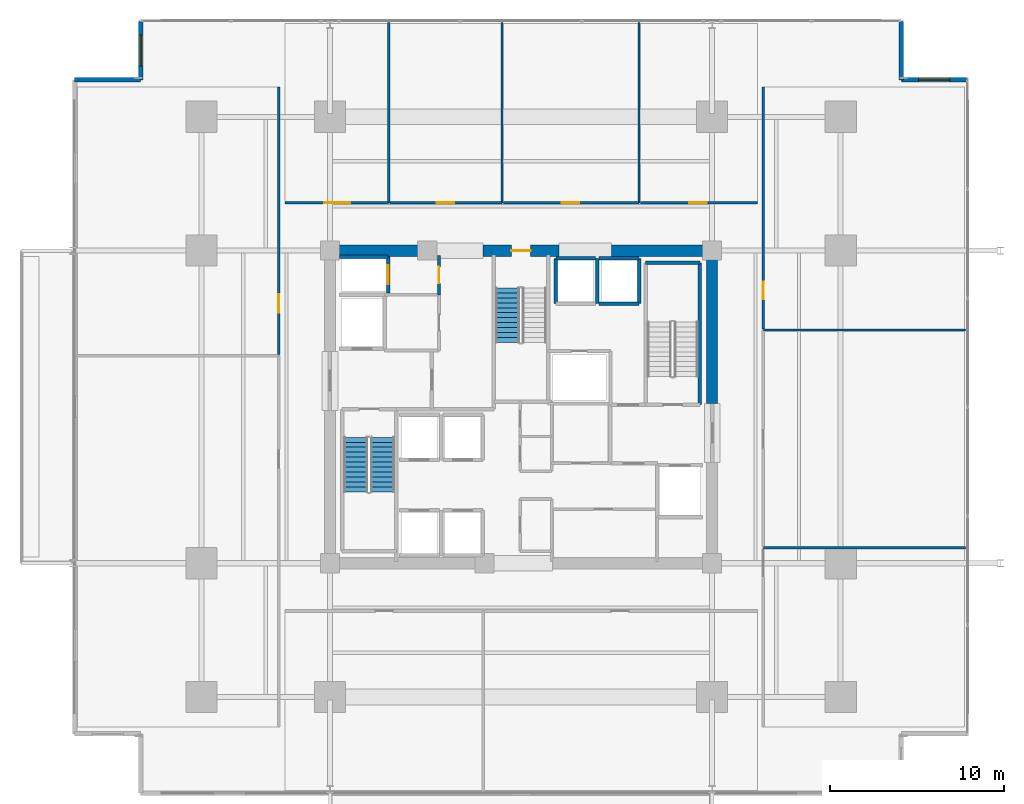
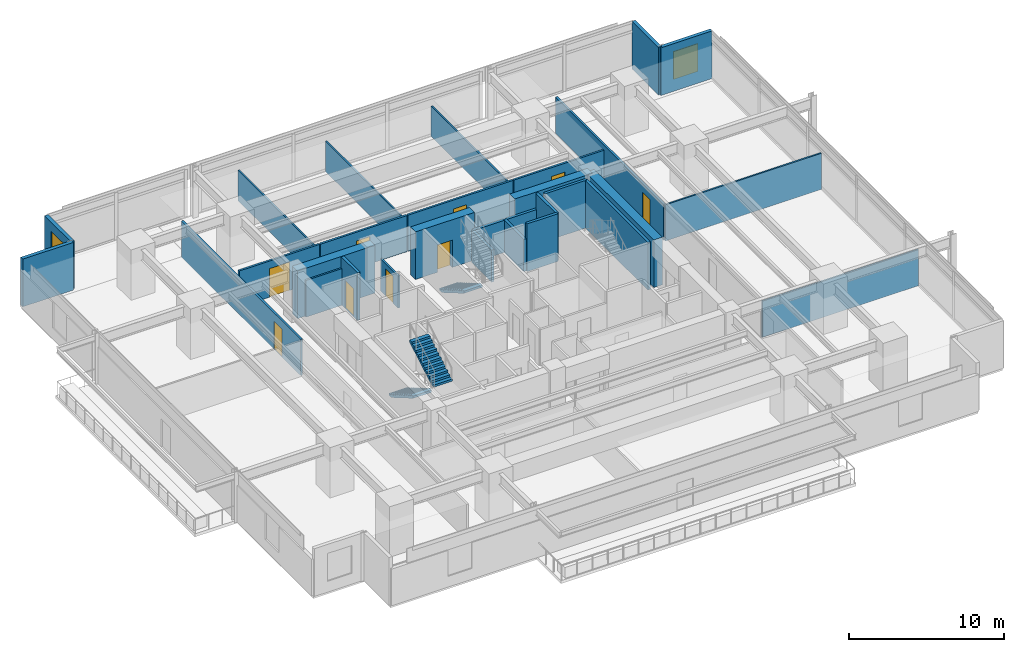
# One storey, part 17 of 23: 30 walls, 9 doors, 3 stair flights, 2 windows, 11 openings, 2 elements without a shape of their own.
"""IFC4 building model written with IfcOpenShell, lengths in metres."""

from ifc_helpers import new_model, si_unit, direction, frame, frame_2d, origin, place, context, subcontext, project, spatial, polyline, rectangle, outline, extrude, material, layer, layer_set, type_object, element, fill, aggregate, save


model = new_model("IFC4")

# Units and contexts
model_context = context("Model", 3, precision=1e-05, world=origin(), true_north=direction((0.0, 1.0)))
body_context = subcontext(model_context, "Body", "Model", "MODEL_VIEW")
ifc_project = project(units=[si_unit("LENGTHUNIT", "METRE"), si_unit("AREAUNIT", "SQUARE_METRE"), si_unit("VOLUMEUNIT", "CUBIC_METRE"), si_unit("PLANEANGLEUNIT", "RADIAN"), si_unit("MASSUNIT", "GRAM", prefix="KILO")], contexts=[model_context])

# Site, building, storey
site_placement = place(None, origin())
site = spatial("IfcSite", under=ifc_project, at=site_placement, CompositionType="ELEMENT")
building_placement = place(site_placement, origin())
building = spatial("IfcBuilding", under=site, at=building_placement, Name="Kovane Verandah Tower", CompositionType="ELEMENT")
storey_placement = place(building_placement, frame((0.0, 0.0, 55.60009765625)))
storey = spatial("IfcBuildingStorey", under=building, at=storey_placement, Name="L12", CompositionType="ELEMENT", Elevation=55.60009765625)

# Wall, opening, door
ifc_material_1 = material(Name="Fire-Rated Gypsum Stud Partition", Category="gypsum")
ifc_layer_1 = layer(ifc_material_1, 0.14990234375)
ifc_layer_set_1 = layer_set([ifc_layer_1], Name="Fire-Rated Gypsum Stud Partition")
wall_type_1 = type_object("IfcWallType", Name="WL-COR-150", PredefinedType="PARTITIONING", material=ifc_layer_set_1)
wall_1_placement = place(storey_placement, frame((35.280029296875, 33.949951171875, 0.0), z_axis=(0.0, 0.0, 1.0), x_axis=(0.0, 1.0, 0.0)))
wall_1 = element("IfcWall", 1, at=wall_1_placement, inside=storey, type_object=wall_type_1, Name="L12 Goods Lift Lobby East Fire Partition", PredefinedType="PARTITIONING", context=body_context, shape_type="SweptSolid", body=[
    extrude(rectangle(XDim=2.27001953125, YDim=0.14990234375, at=frame_2d((1.135009765625, 0.0))), origin(), (0.0, 0.0, 1.0), 2.539794921875),
])
opening_1_placement = place(wall_1_placement, frame((0.659912109375, 0.0, 0.0)))
opening_1 = element("IfcOpeningElement", 2, at=opening_1_placement, cuts=wall_1, Name="Opening DR-L12-008", PredefinedType="OPENING", context=body_context, shape_type="SweptSolid", body=[
    extrude(rectangle(XDim=0.949951171875, YDim=2.14990234375, at=frame_2d((0.47509765625, 1.074951171875))), frame((0.0, 0.074951171875, 0.0), z_axis=(0.0, -1.0, 0.0), x_axis=(1.0, 0.0, 0.0)), (0.0, 0.0, 1.0), 0.14990234375),
])
ifc_material_2 = material(Name="Fire-Rated Steel Refuge and Lobby Door", Category="steel")
door_type_1 = type_object("IfcDoorType", Name="DR-FIRE-950", OperationType="SINGLE_SWING_LEFT", PredefinedType="DOOR", material=ifc_material_2)
door_1_placement = place(opening_1_placement, origin())
door_1 = element("IfcDoor", 3, at=door_1_placement, inside=storey, type_object=door_type_1, Name="L12 Goods Lift Lobby Fire Door", OperationType="SINGLE_SWING_RIGHT", OverallHeight=2.14990234375, OverallWidth=0.949951171875, PredefinedType="DOOR", context=body_context, shape_type="SweptSolid", body=[
    extrude(rectangle(XDim=0.949951171875, YDim=2.14990234375, at=frame_2d((0.47509765625, 1.074951171875))), frame((0.0, 0.02490234375, 0.0), z_axis=(0.0, -1.0, 0.0), x_axis=(1.0, 0.0, 0.0)), (0.0, 0.0, 1.0), 0.050048828125),
])
fill(opening_1, door_1)

wall_2_placement = place(storey_placement, frame((26.39990234375, 39.25, 0.0), z_axis=(0.0, 0.0, 1.0), x_axis=(1.0, 0.0, 0.0)))
wall_2 = element("IfcWall", 4, at=wall_2_placement, inside=storey, type_object=wall_type_1, Name="L12 Client Boardroom N1 Corridor Partition", PredefinedType="PARTITIONING", context=body_context, shape_type="SweptSolid", body=[
    extrude(rectangle(XDim=5.984130859375, YDim=0.14990234375, at=frame_2d((2.9921875, 0.0))), origin(), (0.0, 0.0, 1.0), 2.849853515625),
])
opening_2_placement = place(wall_2_placement, frame((2.257080078125, 0.0, 0.0)))
opening_2 = element("IfcOpeningElement", 5, at=opening_2_placement, cuts=wall_2, Name="Opening DR-L12-018", PredefinedType="OPENING", context=body_context, shape_type="SweptSolid", body=[
    extrude(rectangle(XDim=1.5, YDim=2.25, at=frame_2d((0.75, 1.125))), frame((0.0, 0.074951171875, 0.0), z_axis=(0.0, -1.0, 0.0), x_axis=(1.0, 0.0, 0.0)), (0.0, 0.0, 1.0), 0.14990234375),
])
ifc_material_3 = material(Name="Glazed Timber Fire-Rated Double Door", Category="wood")
door_type_2 = type_object("IfcDoorType", Name="DR-CONF-1500", OperationType="DOUBLE_DOOR_SINGLE_SWING", PredefinedType="DOOR", material=ifc_material_3)
door_2_placement = place(opening_2_placement, origin())
door_2 = element("IfcDoor", 6, at=door_2_placement, inside=storey, type_object=door_type_2, Name="L12 Client Boardroom N1 Entrance Door", OperationType="DOUBLE_DOOR_SINGLE_SWING", OverallHeight=2.25, OverallWidth=1.5, PredefinedType="DOOR", context=body_context, shape_type="SweptSolid", body=[
    extrude(rectangle(XDim=1.5, YDim=2.25, at=frame_2d((0.75, 1.125))), frame((0.0, 0.02490234375, 0.0), z_axis=(0.0, -1.0, 0.0), x_axis=(1.0, 0.0, 0.0)), (0.0, 0.0, 1.0), 0.050048828125),
])
fill(opening_2, door_2)

wall_3_placement = place(storey_placement, frame((32.4541015625, 39.25, 0.0), z_axis=(0.0, 0.0, 1.0), x_axis=(1.0, 0.0, 0.0)))
wall_3 = element("IfcWall", 7, at=wall_3_placement, inside=storey, type_object=wall_type_1, Name="L12 Meeting Room N2 Corridor Partition", PredefinedType="PARTITIONING", context=body_context, shape_type="SweptSolid", body=[
    extrude(rectangle(XDim=6.4580078125, YDim=0.14990234375, at=frame_2d((3.22900390625, 0.0))), origin(), (0.0, 0.0, 1.0), 2.849853515625),
])
opening_3_placement = place(wall_3_placement, frame((2.694091796875, 0.0, 0.0)))
opening_3 = element("IfcOpeningElement", 8, at=opening_3_placement, cuts=wall_3, Name="Opening DR-L12-019", PredefinedType="OPENING", context=body_context, shape_type="SweptSolid", body=[
    extrude(rectangle(XDim=1.0, YDim=2.14990234375, at=frame_2d((0.5, 1.074951171875))), frame((0.0, 0.074951171875, 0.0), z_axis=(0.0, -1.0, 0.0), x_axis=(1.0, 0.0, 0.0)), (0.0, 0.0, 1.0), 0.14990234375),
])
ifc_material_4 = material(Name="FSC Spotted-Gum Timber Fire-Rated Office Door", Category="wood")
door_type_3 = type_object("IfcDoorType", Name="DR-OFF-1000", OperationType="SINGLE_SWING_LEFT", PredefinedType="DOOR", material=ifc_material_4)
door_3_placement = place(opening_3_placement, origin())
door_3 = element("IfcDoor", 9, at=door_3_placement, inside=storey, type_object=door_type_3, Name="L12 Meeting Room N2 Entrance Door", OperationType="SINGLE_SWING_RIGHT", OverallHeight=2.14990234375, OverallWidth=1.0, PredefinedType="DOOR", context=body_context, shape_type="SweptSolid", body=[
    extrude(rectangle(XDim=1.0, YDim=2.14990234375, at=frame_2d((0.5, 1.074951171875))), frame((0.0, 0.02490234375, 0.0), z_axis=(0.0, -1.0, 0.0), x_axis=(1.0, 0.0, 0.0)), (0.0, 0.0, 1.0), 0.050048828125),
])
fill(opening_3, door_3)

wall_4_placement = place(storey_placement, frame((38.98193359375, 39.25, 0.0), z_axis=(0.0, 0.0, 1.0), x_axis=(1.0, 0.0, 0.0)))
wall_4 = element("IfcWall", 10, at=wall_4_placement, inside=storey, type_object=wall_type_1, Name="L12 Focus Studio N3 Corridor Partition", PredefinedType="PARTITIONING", context=body_context, shape_type="SweptSolid", body=[
    extrude(rectangle(XDim=7.818115234375, YDim=0.14990234375, at=frame_2d((3.9091796875, 0.0))), origin(), (0.0, 0.0, 1.0), 2.849853515625),
])
opening_4_placement = place(wall_4_placement, frame((3.3740234375, 0.0, 0.0)))
opening_4 = element("IfcOpeningElement", 11, at=opening_4_placement, cuts=wall_4, Name="Opening DR-L12-020", PredefinedType="OPENING", context=body_context, shape_type="SweptSolid", body=[
    extrude(rectangle(XDim=1.0, YDim=2.14990234375, at=frame_2d((0.5, 1.074951171875))), frame((0.0, 0.074951171875, 0.0), z_axis=(0.0, -1.0, 0.0), x_axis=(1.0, 0.0, 0.0)), (0.0, 0.0, 1.0), 0.14990234375),
])
door_4_placement = place(opening_4_placement, origin())
door_4 = element("IfcDoor", 12, at=door_4_placement, inside=storey, type_object=door_type_3, Name="L12 Focus Studio N3 Entrance Door", OperationType="SINGLE_SWING_LEFT", OverallHeight=2.14990234375, OverallWidth=1.0, PredefinedType="DOOR", context=body_context, shape_type="SweptSolid", body=[
    extrude(rectangle(XDim=1.0, YDim=2.14990234375, at=frame_2d((0.5, 1.074951171875))), frame((0.0, 0.02490234375, 0.0), z_axis=(0.0, -1.0, 0.0), x_axis=(1.0, 0.0, 0.0)), (0.0, 0.0, 1.0), 0.050048828125),
])
fill(opening_4, door_4)

wall_5_placement = place(storey_placement, frame((46.8701171875, 39.25, 0.0), z_axis=(0.0, 0.0, 1.0), x_axis=(1.0, 0.0, 0.0)))
wall_5 = element("IfcWall", 13, at=wall_5_placement, inside=storey, type_object=wall_type_1, Name="L12 Breakout Pantry N4 Corridor Partition", PredefinedType="PARTITIONING", context=body_context, shape_type="SweptSolid", body=[
    extrude(rectangle(XDim=6.72998046875, YDim=0.14990234375, at=frame_2d((3.364990234375, 0.0))), origin(), (0.0, 0.0, 1.0), 2.849853515625),
])
opening_5_placement = place(wall_5_placement, frame((2.81494140625, 0.0, 0.0)))
opening_5 = element("IfcOpeningElement", 14, at=opening_5_placement, cuts=wall_5, Name="Opening DR-L12-021", PredefinedType="OPENING", context=body_context, shape_type="SweptSolid", body=[
    extrude(rectangle(XDim=1.0, YDim=2.14990234375, at=frame_2d((0.5, 1.074951171875))), frame((0.0, 0.074951171875, 0.0), z_axis=(0.0, -1.0, 0.0), x_axis=(1.0, 0.0, 0.0)), (0.0, 0.0, 1.0), 0.14990234375),
])
door_5_placement = place(opening_5_placement, origin())
door_5 = element("IfcDoor", 15, at=door_5_placement, inside=storey, type_object=door_type_3, Name="L12 Breakout Pantry N4 Entrance Door", OperationType="SINGLE_SWING_RIGHT", OverallHeight=2.14990234375, OverallWidth=1.0, PredefinedType="DOOR", context=body_context, shape_type="SweptSolid", body=[
    extrude(rectangle(XDim=1.0, YDim=2.14990234375, at=frame_2d((0.5, 1.074951171875))), frame((0.0, 0.02490234375, 0.0), z_axis=(0.0, -1.0, 0.0), x_axis=(1.0, 0.0, 0.0)), (0.0, 0.0, 1.0), 0.050048828125),
])
fill(opening_5, door_5)

wall_6_placement = place(storey_placement, frame((26.050048828125, 30.518310546875, 0.0), z_axis=(0.0, 0.0, 1.0), x_axis=(0.0, 1.0, 0.0)))
wall_6 = element("IfcWall", 16, at=wall_6_placement, inside=storey, type_object=wall_type_1, Name="L12 Executive Office W2 Corridor Partition", PredefinedType="PARTITIONING", context=body_context, shape_type="SweptSolid", body=[
    extrude(rectangle(XDim=15.408935546875, YDim=0.14990234375, at=frame_2d((7.70458984375, 0.0))), origin(), (0.0, 0.0, 1.0), 2.849853515625),
])
opening_6_placement = place(wall_6_placement, frame((2.415771484375, 0.0, 0.0)))
opening_6 = element("IfcOpeningElement", 17, at=opening_6_placement, cuts=wall_6, Name="Opening DR-L12-029", PredefinedType="OPENING", context=body_context, shape_type="SweptSolid", body=[
    extrude(rectangle(XDim=1.050048828125, YDim=2.199951171875, at=frame_2d((0.52490234375, 1.10009765625))), frame((0.0, 0.074951171875, 0.0), z_axis=(0.0, -1.0, 0.0), x_axis=(1.0, 0.0, 0.0)), (0.0, 0.0, 1.0), 0.14990234375),
])
ifc_material_5 = material(Name="FSC Blackbutt Timber Fire-Rated Executive Door", Category="wood")
door_type_4 = type_object("IfcDoorType", Name="DR-EXEC-1050", OperationType="SINGLE_SWING_LEFT", PredefinedType="DOOR", material=ifc_material_5)
door_6_placement = place(opening_6_placement, origin())
door_6 = element("IfcDoor", 18, at=door_6_placement, inside=storey, type_object=door_type_4, Name="L12 Executive Office W2 Entrance Door", OperationType="SINGLE_SWING_RIGHT", OverallHeight=2.199951171875, OverallWidth=1.050048828125, PredefinedType="DOOR", context=body_context, shape_type="SweptSolid", body=[
    extrude(rectangle(XDim=1.050048828125, YDim=2.199951171875, at=frame_2d((0.52490234375, 1.10009765625))), frame((0.0, 0.02490234375, 0.0), z_axis=(0.0, -1.0, 0.0), x_axis=(1.0, 0.0, 0.0)), (0.0, 0.0, 1.0), 0.050048828125),
])
fill(opening_6, door_6)

wall_7_placement = place(storey_placement, frame((53.949951171875, 31.992431640625, 0.0), z_axis=(0.0, 0.0, 1.0), x_axis=(0.0, 1.0, 0.0)))
wall_7 = element("IfcWall", 19, at=wall_7_placement, inside=storey, type_object=wall_type_1, Name="L12 Focus Studio E3 Corridor Partition", PredefinedType="PARTITIONING", context=body_context, shape_type="SweptSolid", body=[
    extrude(rectangle(XDim=13.934814453125, YDim=0.14990234375, at=frame_2d((6.96728515625, 0.0))), origin(), (0.0, 0.0, 1.0), 2.849853515625),
])
opening_7_placement = place(wall_7_placement, frame((1.70361328125, 0.0, 0.0)))
opening_7 = element("IfcOpeningElement", 20, at=opening_7_placement, cuts=wall_7, Name="Opening DR-L12-014", PredefinedType="OPENING", context=body_context, shape_type="SweptSolid", body=[
    extrude(rectangle(XDim=1.0, YDim=2.14990234375, at=frame_2d((0.5, 1.074951171875))), frame((0.0, 0.074951171875, 0.0), z_axis=(0.0, -1.0, 0.0), x_axis=(1.0, 0.0, 0.0)), (0.0, 0.0, 1.0), 0.14990234375),
])
door_7_placement = place(opening_7_placement, origin())
door_7 = element("IfcDoor", 21, at=door_7_placement, inside=storey, type_object=door_type_3, Name="L12 Focus Studio E3 Entrance Door", OperationType="SINGLE_SWING_LEFT", OverallHeight=2.14990234375, OverallWidth=1.0, PredefinedType="DOOR", context=body_context, shape_type="SweptSolid", body=[
    extrude(rectangle(XDim=1.0, YDim=2.14990234375, at=frame_2d((0.5, 1.074951171875))), frame((0.0, 0.02490234375, 0.0), z_axis=(0.0, -1.0, 0.0), x_axis=(1.0, 0.0, 0.0)), (0.0, 0.0, 1.0), 0.050048828125),
])
fill(opening_7, door_7)

# Wall
ifc_material_6 = material(Name="Concrete C80/95", Category="concrete")
ifc_layer_2 = layer(ifc_material_6, 0.64990234375)
ifc_layer_set_2 = layer_set([ifc_layer_2], Name="Concrete C80/95")
wall_type_2 = type_object("IfcWallType", Name="WL-CORE-650", PredefinedType="SHEAR", material=ifc_layer_set_2)
wall_8_placement = place(storey_placement, frame((29.0, 36.5, 0.0), z_axis=(0.0, 0.0, 1.0), x_axis=(1.0, 0.0, 0.0)))
element("IfcWall", 22, at=wall_8_placement, inside=storey, type_object=wall_type_2, Name="L12 Core Shear Wall CN-1", PredefinedType="SHEAR", context=body_context, shape_type="SweptSolid", body=[
    extrude(rectangle(XDim=5.800048828125, YDim=0.64990234375, at=frame_2d((2.89990234375, 0.0))), origin(), (0.0, 0.0, 1.0), 3.760009765625),
])

# Wall, opening, door
wall_9_placement = place(storey_placement, frame((37.800048828125, 36.5, 0.0), z_axis=(0.0, 0.0, 1.0), x_axis=(1.0, 0.0, 0.0)))
wall_9 = element("IfcWall", 23, at=wall_9_placement, inside=storey, type_object=wall_type_2, Name="L12 Core Shear Wall CN-2", PredefinedType="SHEAR", context=body_context, shape_type="SweptSolid", body=[
    extrude(rectangle(XDim=4.39990234375, YDim=0.64990234375, at=frame_2d((2.199951171875, 0.0))), origin(), (0.0, 0.0, 1.0), 3.760009765625),
])
opening_8_placement = place(wall_9_placement, frame((1.64990234375, 0.0, 0.0)))
opening_8 = element("IfcOpeningElement", 24, at=opening_8_placement, cuts=wall_9, Name="Opening DR-L12-011", PredefinedType="OPENING", context=body_context, shape_type="SweptSolid", body=[
    extrude(rectangle(XDim=1.10009765625, YDim=2.14990234375, at=frame_2d((0.550048828125, 1.074951171875))), frame((0.0, 0.324951171875, 0.0), z_axis=(0.0, -1.0, 0.0), x_axis=(1.0, 0.0, 0.0)), (0.0, 0.0, 1.0), 0.64990234375),
])
ifc_material_7 = material(Name="Fire-Rated Steel Exit Door", Category="steel")
door_type_5 = type_object("IfcDoorType", Name="DR-STAIR-1100", OperationType="SINGLE_SWING_LEFT", PredefinedType="DOOR", material=ifc_material_7)
door_8_placement = place(opening_8_placement, origin())
door_8 = element("IfcDoor", 25, at=door_8_placement, inside=storey, type_object=door_type_5, Name="L12 ST-03 Fire Exit Stair Door", OperationType="SINGLE_SWING_RIGHT", OverallHeight=2.14990234375, OverallWidth=1.10009765625, PredefinedType="DOOR", context=body_context, shape_type="SweptSolid", body=[
    extrude(rectangle(XDim=1.10009765625, YDim=2.14990234375, at=frame_2d((0.550048828125, 1.074951171875))), frame((0.0, 0.02490234375, 0.0), z_axis=(0.0, -1.0, 0.0), x_axis=(1.0, 0.0, 0.0)), (0.0, 0.0, 1.0), 0.050048828125),
])
fill(opening_8, door_8)

# Walls
wall_10_placement = place(storey_placement, frame((45.199951171875, 36.5, 0.0), z_axis=(0.0, 0.0, 1.0), x_axis=(1.0, 0.0, 0.0)))
element("IfcWall", 26, at=wall_10_placement, inside=storey, type_object=wall_type_2, Name="L12 Core Shear Wall CN-3", PredefinedType="SHEAR", context=body_context, shape_type="SweptSolid", body=[
    extrude(rectangle(XDim=5.800048828125, YDim=0.64990234375, at=frame_2d((2.89990234375, 0.0))), origin(), (0.0, 0.0, 1.0), 3.760009765625),
])
wall_11_placement = place(storey_placement, frame((51.0, 27.699951171875, 0.0), z_axis=(0.0, 0.0, 1.0), x_axis=(0.0, 1.0, 0.0)))
element("IfcWall", 27, at=wall_11_placement, inside=storey, type_object=wall_type_2, Name="L12 Core Shear Wall CE-2", PredefinedType="SHEAR", context=body_context, shape_type="SweptSolid", body=[
    extrude(rectangle(XDim=8.800048828125, YDim=0.64990234375, at=frame_2d((4.39990234375, 0.0))), origin(), (0.0, 0.0, 1.0), 3.760009765625),
])
ifc_material_8 = material(Name="Concrete C45/55 Lift Shaft Wall", Category="concrete")
ifc_layer_3 = layer(ifc_material_8, 0.199951171875)
ifc_layer_set_3 = layer_set([ifc_layer_3], Name="Concrete C45/55 Lift Shaft Wall")
wall_type_3 = type_object("IfcWallType", Name="WL-LIFT-200", PredefinedType="SOLIDWALL", material=ifc_layer_set_3)
wall_12_placement = place(storey_placement, frame((32.35009765625, 36.14990234375, 0.0), z_axis=(0.0, 0.0, 1.0), x_axis=(-1.0, 0.0, 0.0)))
element("IfcWall", 28, at=wall_12_placement, inside=storey, type_object=wall_type_3, Name="L12 Lift GL-01 N Shaft Wall", PredefinedType="SOLIDWALL", context=body_context, shape_type="SweptSolid", body=[
    extrude(rectangle(XDim=2.800048828125, YDim=0.199951171875, at=frame_2d((1.39990234375, 0.0))), origin(), (0.0, 0.0, 1.0), 2.88916015625),
])

# Wall, opening, door
wall_13_placement = place(storey_placement, frame((32.35009765625, 34.050048828125, 0.0), z_axis=(0.0, 0.0, 1.0), x_axis=(0.0, 1.0, 0.0)))
wall_13 = element("IfcWall", 29, at=wall_13_placement, inside=storey, type_object=wall_type_3, Name="L12 Lift GL-01 E Shaft Wall", PredefinedType="SOLIDWALL", context=body_context, shape_type="SweptSolid", body=[
    extrude(rectangle(XDim=2.099853515625, YDim=0.199951171875, at=frame_2d((1.0498046875, 0.0))), origin(), (0.0, 0.0, 1.0), 3.760009765625),
])
opening_9_placement = place(wall_13_placement, frame((0.5, 0.0, 0.0)))
opening_9 = element("IfcOpeningElement", 30, at=opening_9_placement, cuts=wall_13, Name="Opening LD-L12-003", PredefinedType="OPENING", context=body_context, shape_type="SweptSolid", body=[
    extrude(rectangle(XDim=1.10009765625, YDim=2.199951171875, at=frame_2d((0.550048828125, 1.10009765625))), frame((0.0, 0.10009765625, 0.0), z_axis=(0.0, -1.0, 0.0), x_axis=(1.0, 0.0, 0.0)), (0.0, 0.0, 1.0), 0.199951171875),
])
ifc_material_9 = material(Name="Brushed Stainless Steel Sliding Lift Landing Door", Category="steel")
door_type_6 = type_object("IfcDoorType", Name="DR-LIFT-1100", OperationType="SLIDING_TO_RIGHT", PredefinedType="DOOR", material=ifc_material_9)
door_9_placement = place(opening_9_placement, origin())
door_9 = element("IfcDoor", 31, at=door_9_placement, inside=storey, type_object=door_type_6, Name="L12 Lift GL-01 Sliding Landing Door", OperationType="SLIDING_TO_RIGHT", OverallHeight=2.199951171875, OverallWidth=1.10009765625, PredefinedType="DOOR", context=body_context, shape_type="SweptSolid", body=[
    extrude(rectangle(XDim=1.10009765625, YDim=2.199951171875, at=frame_2d((0.550048828125, 1.10009765625))), frame((0.0, 0.02490234375, 0.0), z_axis=(0.0, -1.0, 0.0), x_axis=(1.0, 0.0, 0.0)), (0.0, 0.0, 1.0), 0.050048828125),
])
fill(opening_9, door_9)

# Walls
wall_14_placement = place(storey_placement, frame((44.300048828125, 36.050048828125, 0.0), z_axis=(0.0, 0.0, 1.0), x_axis=(-1.0, 0.0, 0.0)))
element("IfcWall", 32, at=wall_14_placement, inside=storey, type_object=wall_type_3, Name="L12 Lift SL-01 N Shaft Wall", PredefinedType="SOLIDWALL", context=body_context, shape_type="SweptSolid", body=[
    extrude(rectangle(XDim=2.300048828125, YDim=0.199951171875, at=frame_2d((1.14990234375, 0.0))), origin(), (0.0, 0.0, 1.0), 2.539794921875),
])
for number, where, z_axis, x_axis, name in (
    (33, (42.0, 36.050048828125, 0.0), (0.0, 0.0, 1.0), (0.0, -1.0, 0.0), "L12 Lift SL-01 W Shaft Wall"),
    (34, (44.39990234375, 33.449951171875, 0.0), (0.0, 0.0, 1.0), (0.0, 1.0, 0.0), "L12 Lift OL-01 and SL-01 Shared Shaft Wall"),
):
    element("IfcWall", number, at=place(storey_placement, frame(where, z_axis=z_axis, x_axis=x_axis)), inside=storey, type_object=wall_type_3, Name=name, PredefinedType="SOLIDWALL", context=body_context, shape_type="SweptSolid", body=[
        extrude(rectangle(XDim=2.60009765625, YDim=0.199951171875, at=frame_2d((1.300048828125, 0.0))), origin(), (0.0, 0.0, 1.0), 2.539794921875),
    ])
wall_15_placement = place(storey_placement, frame((44.5, 33.449951171875, 0.0), z_axis=(0.0, 0.0, 1.0), x_axis=(1.0, 0.0, 0.0)))
element("IfcWall", 35, at=wall_15_placement, inside=storey, type_object=wall_type_3, Name="L12 Lift OL-01 S Shaft Wall", PredefinedType="SOLIDWALL", context=body_context, shape_type="SweptSolid", body=[
    extrude(rectangle(XDim=2.300048828125, YDim=0.199951171875, at=frame_2d((1.14990234375, 0.0))), origin(), (0.0, 0.0, 1.0), 3.760009765625),
])
wall_16_placement = place(storey_placement, frame((46.800048828125, 36.050048828125, 0.0), z_axis=(0.0, 0.0, 1.0), x_axis=(-1.0, 0.0, 0.0)))
element("IfcWall", 36, at=wall_16_placement, inside=storey, type_object=wall_type_3, Name="L12 Lift OL-01 N Shaft Wall", PredefinedType="SOLIDWALL", context=body_context, shape_type="SweptSolid", body=[
    extrude(rectangle(XDim=2.300048828125, YDim=0.199951171875, at=frame_2d((1.14990234375, 0.0))), origin(), (0.0, 0.0, 1.0), 2.539794921875),
])
wall_17_placement = place(storey_placement, frame((46.800048828125, 33.449951171875, 0.0), z_axis=(0.0, 0.0, 1.0), x_axis=(0.0, 1.0, 0.0)))
element("IfcWall", 37, at=wall_17_placement, inside=storey, type_object=wall_type_3, Name="L12 Lift OL-01 E Shaft Wall", PredefinedType="SOLIDWALL", context=body_context, shape_type="SweptSolid", body=[
    extrude(rectangle(XDim=2.60009765625, YDim=0.199951171875, at=frame_2d((1.300048828125, 0.0))), origin(), (0.0, 0.0, 1.0), 3.760009765625),
])
ifc_material_10 = material(Name="Acoustic Fire-Rated Gypsum Partition", Category="gypsum")
ifc_layer_4 = layer(ifc_material_10, 0.1201171875)
ifc_layer_set_4 = layer_set([ifc_layer_4], Name="Acoustic Fire-Rated Gypsum Partition")
wall_type_4 = type_object("IfcWallType", Name="WL-PART-120", PredefinedType="PARTITIONING", material=ifc_layer_set_4)
for number, where, z_axis, x_axis, name in (
    (38, (32.384033203125, 39.25, 0.0), (0.0, 0.0, 1.0), (0.0, 1.0, 0.0), "L12 Client Boardroom N1 Dividing Partition"),
    (39, (38.912109375, 39.25, 0.0), (0.0, 0.0, 1.0), (0.0, 1.0, 0.0), "L12 Meeting Room N2 Dividing Partition"),
    (40, (46.800048828125, 39.25, 0.0), (0.0, 0.0, 1.0), (0.0, 1.0, 0.0), "L12 Focus Studio N3 Dividing Partition"),
):
    element("IfcWall", number, at=place(storey_placement, frame(where, z_axis=z_axis, x_axis=x_axis)), inside=storey, type_object=wall_type_4, Name=name, PredefinedType="PARTITIONING", context=body_context, shape_type="SweptSolid", body=[
        extrude(rectangle(XDim=10.377197265625, YDim=0.1201171875, at=frame_2d((5.1884765625, 0.0))), origin(), (0.0, 0.0, 1.0), 2.389892578125),
    ])
for number, where, z_axis, x_axis, name in (
    (41, (53.949951171875, 19.39208984375, 0.0), (0.0, 0.0, 1.0), (1.0, 0.0, 0.0), "L12 Client Boardroom E1 Dividing Partition"),
    (42, (53.949951171875, 31.922607421875, 0.0), (0.0, 0.0, 1.0), (1.0, 0.0, 0.0), "L12 Meeting Room E2 Dividing Partition"),
):
    element("IfcWall", number, at=place(storey_placement, frame(where, z_axis=z_axis, x_axis=x_axis)), inside=storey, type_object=wall_type_4, Name=name, PredefinedType="PARTITIONING", context=body_context, shape_type="SweptSolid", body=[
        extrude(rectangle(XDim=11.64599609375, YDim=0.1201171875, at=frame_2d((5.822998046875, 0.0))), origin(), (0.0, 0.0, 1.0), 2.849853515625),
    ])
ifc_material_11 = material(Name="Concrete C45/55", Category="concrete")
ifc_layer_5 = layer(ifc_material_11, 0.199951171875)
ifc_layer_set_5 = layer_set([ifc_layer_5], Name="Concrete C45/55")
wall_type_5 = type_object("IfcWallType", Name="WL-SHAFT-200", PredefinedType="SOLIDWALL", material=ifc_layer_set_5)
wall_18_placement = place(storey_placement, frame((50.300048828125, 27.64990234375, 0.0), z_axis=(0.0, 0.0, 1.0), x_axis=(0.0, 1.0, 0.0)))
element("IfcWall", 43, at=wall_18_placement, inside=storey, type_object=wall_type_5, Name="W-L12-ST02-E", PredefinedType="SOLIDWALL", context=body_context, shape_type="SweptSolid", body=[
    extrude(rectangle(XDim=8.150146484375, YDim=0.199951171875, at=frame_2d((4.0751953125, 0.0))), origin(), (0.0, 0.0, 1.0), 3.760009765625),
])
wall_19_placement = place(storey_placement, frame((47.179931640625, 35.800048828125, 0.0), z_axis=(0.0, 0.0, 1.0), x_axis=(1.0, 0.0, 0.0)))
element("IfcWall", 44, at=wall_19_placement, inside=storey, type_object=wall_type_5, Name="W-L12-ST02-N", PredefinedType="SOLIDWALL", context=body_context, shape_type="SweptSolid", body=[
    extrude(rectangle(XDim=3.1201171875, YDim=0.199951171875, at=frame_2d((1.56005859375, 0.0))), origin(), (0.0, 0.0, 1.0), 3.760009765625),
])

# Wall, opening, window
ifc_material_12 = material(Name="Concrete C45/55 Insulated Spandrel Wall", Category="concrete")
ifc_layer_6 = layer(ifc_material_12, 0.260009765625)
ifc_layer_set_6 = layer_set([ifc_layer_6], Name="Concrete C45/55 Insulated Spandrel Wall")
wall_type_6 = type_object("IfcWallType", Name="WL-SPANDREL-260", PredefinedType="PARAPET", material=ifc_layer_set_6)
wall_20_placement = place(storey_placement, frame((65.696044921875, 46.3271484375, 0.0), z_axis=(0.0, 0.0, 1.0), x_axis=(-1.0, 0.0, 0.0)))
wall_20 = element("IfcWall", 45, at=wall_20_placement, inside=storey, type_object=wall_type_6, Name="L12 NE Notch Cheek Wall 1", PredefinedType="PARAPET", context=body_context, shape_type="SweptSolid", body=[
    extrude(rectangle(XDim=3.800048828125, YDim=0.260009765625, at=frame_2d((1.89990234375, 0.0))), origin(), (0.0, 0.0, 1.0), 3.760009765625),
])
opening_10_placement = place(wall_20_placement, frame((1.0, 0.0, 0.85009765625)))
opening_10 = element("IfcOpeningElement", 46, at=opening_10_placement, cuts=wall_20, Name="Opening W-03", PredefinedType="OPENING", context=body_context, shape_type="SweptSolid", body=[
    extrude(rectangle(XDim=1.800048828125, YDim=2.199951171875, at=frame_2d((0.89990234375, 1.10009765625))), frame((0.0, 0.1298828125, 0.0), z_axis=(0.0, -1.0, 0.0), x_axis=(1.0, 0.0, 0.0)), (0.0, 0.0, 1.0), 0.260009765625),
])
ifc_material_13 = material(Name="Clear Low-E Laminated Double Glazing in Anodised Frame", Category="glass")
window_type = type_object("IfcWindowType", Name="WN-NOTCH-1800x2200", PartitioningType="SINGLE_PANEL", PredefinedType="WINDOW", material=ifc_material_13)
window_1_placement = place(opening_10_placement, origin())
window_1 = element("IfcWindow", 47, at=window_1_placement, inside=storey, type_object=window_type, Name="L12 NE Re-Entrant Corner Operable Window", OverallHeight=2.199951171875, OverallWidth=1.800048828125, PartitioningType="SINGLE_PANEL", PredefinedType="WINDOW", context=body_context, shape_type="SweptSolid", body=[
    extrude(rectangle(XDim=1.800048828125, YDim=2.199951171875, at=frame_2d((0.89990234375, 1.10009765625))), frame((0.0, 0.030029296875, 0.0), z_axis=(0.0, -1.0, 0.0), x_axis=(1.0, 0.0, 0.0)), (0.0, 0.0, 1.0), 0.06005859375),
])
fill(opening_10, window_1)

# Wall
wall_21_placement = place(storey_placement, frame((61.89599609375, 46.3271484375, 0.0), z_axis=(0.0, 0.0, 1.0), x_axis=(0.0, 1.0, 0.0)))
element("IfcWall", 48, at=wall_21_placement, inside=storey, type_object=wall_type_6, Name="L12 NE Notch Cheek Wall 2", PredefinedType="PARAPET", context=body_context, shape_type="SweptSolid", body=[
    extrude(rectangle(XDim=3.400146484375, YDim=0.260009765625, at=frame_2d((1.7001953125, 0.0))), origin(), (0.0, 0.0, 1.0), 3.760009765625),
])

# Wall, opening, window
wall_22_placement = place(storey_placement, frame((18.10400390625, 49.727294921875, 0.0), z_axis=(0.0, 0.0, 1.0), x_axis=(0.0, -1.0, 0.0)))
wall_22 = element("IfcWall", 49, at=wall_22_placement, inside=storey, type_object=wall_type_6, Name="L12 NW Notch Cheek Wall 1", PredefinedType="PARAPET", context=body_context, shape_type="SweptSolid", body=[
    extrude(rectangle(XDim=3.400146484375, YDim=0.260009765625, at=frame_2d((1.7001953125, 0.0))), origin(), (0.0, 0.0, 1.0), 3.760009765625),
])
opening_11_placement = place(wall_22_placement, frame((0.800048828125, 0.0, 0.85009765625)))
opening_11 = element("IfcOpeningElement", 50, at=opening_11_placement, cuts=wall_22, Name="Opening W-03", PredefinedType="OPENING", context=body_context, shape_type="SweptSolid", body=[
    extrude(rectangle(XDim=1.800048828125, YDim=2.199951171875, at=frame_2d((0.89990234375, 1.10009765625))), frame((0.0, 0.1298828125, 0.0), z_axis=(0.0, -1.0, 0.0), x_axis=(1.0, 0.0, 0.0)), (0.0, 0.0, 1.0), 0.260009765625),
])
window_2_placement = place(opening_11_placement, origin())
window_2 = element("IfcWindow", 51, at=window_2_placement, inside=storey, type_object=window_type, Name="L12 NW Re-Entrant Corner Operable Window", OverallHeight=2.199951171875, OverallWidth=1.800048828125, PartitioningType="SINGLE_PANEL", PredefinedType="WINDOW", context=body_context, shape_type="SweptSolid", body=[
    extrude(rectangle(XDim=1.800048828125, YDim=2.199951171875, at=frame_2d((0.89990234375, 1.10009765625))), frame((0.0, 0.030029296875, 0.0), z_axis=(0.0, -1.0, 0.0), x_axis=(1.0, 0.0, 0.0)), (0.0, 0.0, 1.0), 0.06005859375),
])
fill(opening_11, window_2)

# Wall
wall_23_placement = place(storey_placement, frame((18.10400390625, 46.3271484375, 0.0), z_axis=(0.0, 0.0, 1.0), x_axis=(-1.0, 0.0, 0.0)))
element("IfcWall", 52, at=wall_23_placement, inside=storey, type_object=wall_type_6, Name="L12 NW Notch Cheek Wall 2", PredefinedType="PARAPET", context=body_context, shape_type="SweptSolid", body=[
    extrude(rectangle(XDim=3.800048828125, YDim=0.260009765625, at=frame_2d((1.89990234375, 0.0))), origin(), (0.0, 0.0, 1.0), 3.760009765625),
])

# Stair, stair flights
stair_type = type_object("IfcStairType", Name="ST-CORE-1380", PredefinedType="HALF_TURN_STAIR", material=ifc_material_11)
stair_1_placement = place(storey_placement, origin())
stair_1 = element("IfcStair", 53, at=stair_1_placement, inside=storey, type_object=stair_type, Name="L12 Exit Stair ST-01", PredefinedType="HALF_TURN_STAIR")
stair_flight_type = type_object("IfcStairFlightType", Name="STF-CORE-1380", PredefinedType="STRAIGHT", material=ifc_material_11)
stair_flight_1_placement = place(storey_placement, frame((30.489990234375, 25.75, 0.0), z_axis=(0.0, 0.0, 1.0), x_axis=(0.0, -1.0, 0.0)))
stair_flight_1 = element("IfcStairFlight", 54, at=stair_flight_1_placement, type_object=stair_flight_type, Name="ST-01 flight 1", NumberOfRisers=12, NumberOfTreads=11, PredefinedType="STRAIGHT", RiserHeight=0.166666667, TreadLength=0.285, context=body_context, shape_type="SweptSolid", body=[
    extrude(outline(polyline([(0.0, 0.0), (0.0, 0.166748046875), (0.284912109375, 0.166748046875), (0.284912109375, 0.333251953125), (0.570068359375, 0.333251953125), (0.570068359375, 0.5), (0.85498046875, 0.5), (0.85498046875, 0.666748046875), (1.139892578125, 0.666748046875), (1.139892578125, 0.833251953125), (1.425048828125, 0.833251953125), (1.425048828125, 1.0), (1.7099609375, 1.0), (1.7099609375, 1.166748046875), (1.9951171875, 1.166748046875), (1.9951171875, 1.333251953125), (2.280029296875, 1.333251953125), (2.280029296875, 1.5), (2.56494140625, 1.5), (2.56494140625, 1.666748046875), (2.85009765625, 1.666748046875), (2.85009765625, 1.833251953125), (3.135009765625, 1.833251953125), (3.135009765625, 2.0), (3.135009765625, 1.65966796875), (0.296875, 0.0), (0.0, 0.0)])), frame((0.0, 0.68994140625, 0.0), z_axis=(0.0, -1.0, 0.0), x_axis=(1.0, 0.0, 0.0)), (0.0, 0.0, 1.0), 1.3798828125),
])
stair_flight_2_placement = place(storey_placement, frame((32.030029296875, 22.614990234375, 2.0), z_axis=(0.0, 0.0, 1.0), x_axis=(0.0, 1.0, 0.0)))
stair_flight_2 = element("IfcStairFlight", 55, at=stair_flight_2_placement, type_object=stair_flight_type, Name="ST-01 flight 2", NumberOfRisers=12, NumberOfTreads=11, PredefinedType="STRAIGHT", RiserHeight=0.166666667, TreadLength=0.285, context=body_context, shape_type="SweptSolid", body=[
    extrude(outline(polyline([(0.0, 0.0), (0.0, 0.166748046875), (0.284912109375, 0.166748046875), (0.284912109375, 0.333251953125), (0.570068359375, 0.333251953125), (0.570068359375, 0.5), (0.85498046875, 0.5), (0.85498046875, 0.666748046875), (1.139892578125, 0.666748046875), (1.139892578125, 0.833251953125), (1.425048828125, 0.833251953125), (1.425048828125, 1.0), (1.7099609375, 1.0), (1.7099609375, 1.166748046875), (1.9951171875, 1.166748046875), (1.9951171875, 1.333251953125), (2.280029296875, 1.333251953125), (2.280029296875, 1.5), (2.56494140625, 1.5), (2.56494140625, 1.666748046875), (2.85009765625, 1.666748046875), (2.85009765625, 1.833251953125), (3.135009765625, 1.833251953125), (3.135009765625, 2.0), (3.135009765625, 1.65966796875), (0.296875, 0.0), (0.0, 0.0)])), frame((0.0, 0.68994140625, 0.0), z_axis=(0.0, -1.0, 0.0), x_axis=(1.0, 0.0, 0.0)), (0.0, 0.0, 1.0), 1.3798828125),
])
aggregate(stair_1, [stair_flight_1, stair_flight_2])

# Stair, stair flight
stair_2_placement = place(storey_placement, origin())
stair_2 = element("IfcStair", 56, at=stair_2_placement, inside=storey, type_object=stair_type, Name="L12 Exit Stair ST-03", PredefinedType="HALF_TURN_STAIR")
stair_flight_3_placement = place(storey_placement, frame((39.22998046875, 34.35009765625, 0.0), z_axis=(0.0, 0.0, 1.0), x_axis=(0.0, -1.0, 0.0)))
stair_flight_3 = element("IfcStairFlight", 57, at=stair_flight_3_placement, type_object=stair_flight_type, Name="ST-03 flight 1", NumberOfRisers=12, NumberOfTreads=11, PredefinedType="STRAIGHT", RiserHeight=0.166666667, TreadLength=0.285, context=body_context, shape_type="SweptSolid", body=[
    extrude(outline(polyline([(0.0, 0.0), (0.0, 0.166748046875), (0.284912109375, 0.166748046875), (0.284912109375, 0.333251953125), (0.570068359375, 0.333251953125), (0.570068359375, 0.5), (0.85498046875, 0.5), (0.85498046875, 0.666748046875), (1.139892578125, 0.666748046875), (1.139892578125, 0.833251953125), (1.425048828125, 0.833251953125), (1.425048828125, 1.0), (1.7099609375, 1.0), (1.7099609375, 1.166748046875), (1.9951171875, 1.166748046875), (1.9951171875, 1.333251953125), (2.280029296875, 1.333251953125), (2.280029296875, 1.5), (2.56494140625, 1.5), (2.56494140625, 1.666748046875), (2.85009765625, 1.666748046875), (2.85009765625, 1.833251953125), (3.135009765625, 1.833251953125), (3.135009765625, 2.0), (3.135009765625, 1.65966796875), (0.296875, 0.0), (0.0, 0.0)])), frame((0.0, 0.68994140625, 0.0), z_axis=(0.0, -1.0, 0.0), x_axis=(1.0, 0.0, 0.0)), (0.0, 0.0, 1.0), 1.3798828125),
])
aggregate(stair_2, [stair_flight_3])

save(model, "model.ifc")
